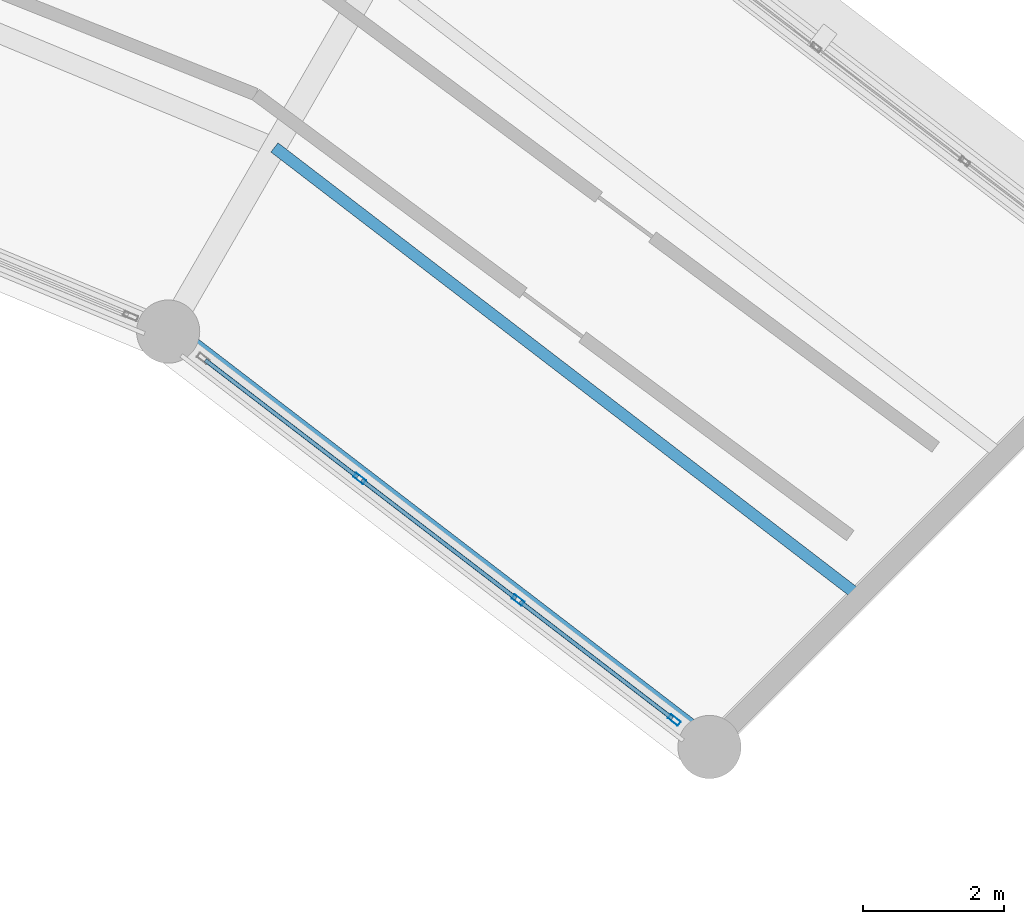
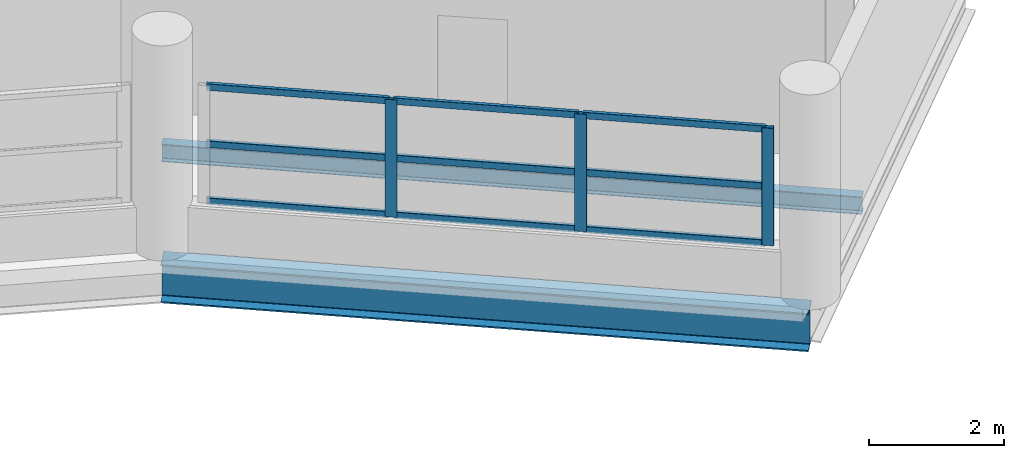
# One storey, part 33 of 53: 12 members, 2 beams, 1 element without a shape of its own.
"""IFC4 building model written with IfcOpenShell, lengths in metres."""

from ifc_helpers import new_model, si_unit, direction, frame, origin, origin_2d, place, context, subcontext, project, spatial, hollow_rectangle, i_section, extrude, material, layer, layer_set, material_profile, profile_set, type_object, element, aggregate, save


model = new_model("IFC4")

# Units and contexts
model_context = context("Model", 3, precision=1e-05, world=origin(), true_north=direction((0.0, 1.0)))
body_context = subcontext(model_context, "Body", "Model", "MODEL_VIEW")
ifc_project = project(units=[si_unit("LENGTHUNIT", "METRE"), si_unit("AREAUNIT", "SQUARE_METRE"), si_unit("VOLUMEUNIT", "CUBIC_METRE"), si_unit("PLANEANGLEUNIT", "RADIAN"), si_unit("MASSUNIT", "GRAM", prefix="KILO")], contexts=[model_context])

# Site, building, storey
site_placement = place(None, origin())
site = spatial("IfcSite", under=ifc_project, at=site_placement, CompositionType="ELEMENT")
building_placement = place(site_placement, origin())
building = spatial("IfcBuilding", under=site, at=building_placement, Name="Vespera Passage Community Centre", CompositionType="ELEMENT")
storey_placement = place(building_placement, frame((0.0, 0.0, 20.39990234375)))
storey = spatial("IfcBuildingStorey", under=building, at=storey_placement, Name="L05", CompositionType="ELEMENT", Elevation=20.39990234375)

# Beams
ifc_material_1 = material(Name="Steel ASTM A992 Grade 50", Category="steel")
ifc_material_profile_1 = material_profile(ifc_material_1, i_section(OverallWidth=0.16650390625, OverallDepth=0.3173828125, WebThickness=0.007568359375, FlangeThickness=0.01318359375, FilletRadius=0.007568359375, at=origin_2d()), Name="W12X35")
ifc_profile_set_1 = profile_set([ifc_material_profile_1], Name="Steel ASTM A992 Grade 50")
beam_type_1 = type_object("IfcBeamType", Name="BM-J-W12X35", PredefinedType="JOIST", material=ifc_profile_set_1)
beam_1_placement = place(storey_placement, frame((106.444091796875, 93.944091796875, -0.418701171875), z_axis=(-0.793356328613, 0.608757534533, 0.0), x_axis=(-0.608757534533, -0.793356328613, 0.0)))
element("IfcBeam", 1, at=beam_1_placement, inside=storey, type_object=beam_type_1, Name="V4 L05 Floor Joist 3.1", PredefinedType="JOIST", context=body_context, shape_type="SweptSolid", body=[
    extrude(i_section(OverallWidth=0.16650390625, OverallDepth=0.3173828125, WebThickness=0.007568359375, FlangeThickness=0.01318359375, FilletRadius=0.007568359375, at=origin_2d()), origin(), (0.0, 0.0, 1.0), 10.5009765625),
])
ifc_material_2 = material(Name="Steel ASTM A992 Grade 50", Category="steel")
ifc_material_profile_2 = material_profile(ifc_material_2, i_section(OverallWidth=0.3544921875, OverallDepth=0.695556640625, WebThickness=0.015380859375, FlangeThickness=0.024658203125, FilletRadius=0.01513671875, at=origin_2d()), Name="W27X146")
ifc_profile_set_2 = profile_set([ifc_material_profile_2], Name="Steel ASTM A992 Grade 50")
beam_type_2 = type_object("IfcBeamType", Name="BM-SP-W27X146E", PredefinedType="SPANDREL", material=ifc_profile_set_2)
beam_2_placement = place(storey_placement, frame((104.304443359375, 91.804443359375, -0.607666015625), z_axis=(-0.793359869694, 0.60875291963, 0.0), x_axis=(-0.60875291963, -0.793359869694, 0.0)))
element("IfcBeam", 2, at=beam_2_placement, inside=storey, type_object=beam_type_2, Name="V4 L05 Inner Spandrel 3", PredefinedType="SPANDREL", context=body_context, shape_type="SweptSolid", body=[
    extrude(i_section(OverallWidth=0.3544921875, OverallDepth=0.695556640625, WebThickness=0.015380859375, FlangeThickness=0.024658203125, FilletRadius=0.01513671875, at=origin_2d()), origin(), (0.0, 0.0, 1.0), 9.7109375),
])

# Curtain wall, members
ifc_material_3 = material(Name="Anodized aluminium 6063-T6", Category="aluminium")
ifc_layer = layer(ifc_material_3, 0.159912109375)
ifc_layer_set = layer_set([ifc_layer], Name="Anodized aluminium 6063-T6")
curtain_wall_type = type_object("IfcCurtainWallType", Name="CW-70E", PredefinedType="NOTDEFINED", material=ifc_layer_set)
curtain_wall_placement = place(storey_placement, origin())
curtain_wall = element("IfcCurtainWall", 3, at=curtain_wall_placement, inside=storey, type_object=curtain_wall_type, Name="V4 L05 Inner Court Curtain Wall 3", PredefinedType="NOTDEFINED")
ifc_material_4 = material(Name="Anodized aluminium 6063-T6", Category="aluminium")
ifc_material_profile_3 = material_profile(ifc_material_4, hollow_rectangle(XDim=0.074951171875, YDim=0.179931640625, WallThickness=0.0048828125, InnerFilletRadius=0.00244140625, OuterFilletRadius=0.0048828125, at=origin_2d()), Name="ALU180X75X5")
ifc_profile_set_3 = profile_set([ifc_material_profile_3], Name="Anodized aluminium 6063-T6")
member_type_1 = type_object("IfcMemberType", Name="MB-CWM-180E", PredefinedType="MULLION", material=ifc_profile_set_3)
member_1_placement = place(storey_placement, frame((103.803955078125, 92.188232421875, 0.820068359375), z_axis=(0.0, 0.0, 1.0), x_axis=(-0.608755087843, -0.793358205999, 0.0)))
member_1 = element("IfcMember", 4, at=member_1_placement, type_object=member_type_1, Name="CW-70E mullion 1", PredefinedType="MULLION", context=body_context, shape_type="SweptSolid", body=[
    extrude(hollow_rectangle(XDim=0.074951171875, YDim=0.179931640625, WallThickness=0.0048828125, InnerFilletRadius=0.00244140625, OuterFilletRadius=0.0048828125, at=origin_2d()), origin(), (0.0, 0.0, 1.0), 2.129638671875),
])
member_2_placement = place(storey_placement, frame((101.579345703125, 93.895263671875, 0.820068359375), z_axis=(0.0, 0.0, 1.0), x_axis=(-0.608755087843, -0.793358205999, 0.0)))
member_2 = element("IfcMember", 5, at=member_2_placement, type_object=member_type_1, Name="CW-70E mullion 2", PredefinedType="MULLION", context=body_context, shape_type="SweptSolid", body=[
    extrude(hollow_rectangle(XDim=0.074951171875, YDim=0.179931640625, WallThickness=0.0048828125, InnerFilletRadius=0.00244140625, OuterFilletRadius=0.0048828125, at=origin_2d()), origin(), (0.0, 0.0, 1.0), 2.129638671875),
])
member_3_placement = place(storey_placement, frame((99.324951171875, 95.625244140625, 0.820068359375), z_axis=(0.0, 0.0, 1.0), x_axis=(-0.608755087843, -0.793358205999, 0.0)))
member_3 = element("IfcMember", 6, at=member_3_placement, type_object=member_type_1, Name="CW-70E mullion 3", PredefinedType="MULLION", context=body_context, shape_type="SweptSolid", body=[
    extrude(hollow_rectangle(XDim=0.074951171875, YDim=0.179931640625, WallThickness=0.0048828125, InnerFilletRadius=0.00244140625, OuterFilletRadius=0.0048828125, at=origin_2d()), origin(), (0.0, 0.0, 1.0), 2.129638671875),
])
ifc_material_5 = material(Name="Anodized aluminium 6063-T6", Category="aluminium")
ifc_material_profile_4 = material_profile(ifc_material_5, hollow_rectangle(XDim=0.06005859375, YDim=0.1201171875, WallThickness=0.00390625, InnerFilletRadius=0.001953125, OuterFilletRadius=0.00390625, at=origin_2d()), Name="ALU120X60X4")
ifc_profile_set_4 = profile_set([ifc_material_profile_4], Name="Anodized aluminium 6063-T6")
member_type_2 = type_object("IfcMemberType", Name="MB-CWT-120E", PredefinedType="USERDEFINED", material=ifc_profile_set_4)
member_4_placement = place(storey_placement, frame((103.7744140625, 92.211181640625, 0.85009765625), z_axis=(-0.793371617318, 0.608737609183, 0.0), x_axis=(-0.608737609183, -0.793371617318, 0.0)))
member_4 = element("IfcMember", 7, at=member_4_placement, type_object=member_type_2, Name="CW-70E transom 1.1", ObjectType="TRANSOM", PredefinedType="USERDEFINED", context=body_context, shape_type="SweptSolid", body=[
    extrude(hollow_rectangle(XDim=0.06005859375, YDim=0.1201171875, WallThickness=0.00390625, InnerFilletRadius=0.001953125, OuterFilletRadius=0.00390625, at=origin_2d()), origin(), (0.0, 0.0, 1.0), 2.729248046875),
])
member_5_placement = place(storey_placement, frame((103.7744140625, 92.211181640625, 1.884765625), z_axis=(-0.793371617318, 0.608737609183, 0.0), x_axis=(-0.608737609183, -0.793371617318, 0.0)))
member_5 = element("IfcMember", 8, at=member_5_placement, type_object=member_type_2, Name="CW-70E transom 1.2", ObjectType="TRANSOM", PredefinedType="USERDEFINED", context=body_context, shape_type="SweptSolid", body=[
    extrude(hollow_rectangle(XDim=0.06005859375, YDim=0.1201171875, WallThickness=0.00390625, InnerFilletRadius=0.001953125, OuterFilletRadius=0.00390625, at=origin_2d()), origin(), (0.0, 0.0, 1.0), 2.729248046875),
])
member_6_placement = place(storey_placement, frame((103.7744140625, 92.211181640625, 2.919677734375), z_axis=(-0.793371617318, 0.608737609183, 0.0), x_axis=(-0.608737609183, -0.793371617318, 0.0)))
member_6 = element("IfcMember", 9, at=member_6_placement, type_object=member_type_2, Name="CW-70E transom 1.3", ObjectType="TRANSOM", PredefinedType="USERDEFINED", context=body_context, shape_type="SweptSolid", body=[
    extrude(hollow_rectangle(XDim=0.06005859375, YDim=0.1201171875, WallThickness=0.00390625, InnerFilletRadius=0.001953125, OuterFilletRadius=0.00390625, at=origin_2d()), origin(), (0.0, 0.0, 1.0), 2.729248046875),
])
member_7_placement = place(storey_placement, frame((101.549560546875, 93.918212890625, 0.85009765625), z_axis=(-0.793364831796, 0.608746452695, 0.0), x_axis=(-0.608746452695, -0.793364831796, 0.0)))
member_7 = element("IfcMember", 10, at=member_7_placement, type_object=member_type_2, Name="CW-70E transom 2.1", ObjectType="TRANSOM", PredefinedType="USERDEFINED", context=body_context, shape_type="SweptSolid", body=[
    extrude(hollow_rectangle(XDim=0.06005859375, YDim=0.1201171875, WallThickness=0.00390625, InnerFilletRadius=0.001953125, OuterFilletRadius=0.00390625, at=origin_2d()), origin(), (0.0, 0.0, 1.0), 2.766357421875),
])
member_8_placement = place(storey_placement, frame((101.549560546875, 93.918212890625, 1.884765625), z_axis=(-0.793364831796, 0.608746452695, 0.0), x_axis=(-0.608746452695, -0.793364831796, 0.0)))
member_8 = element("IfcMember", 11, at=member_8_placement, type_object=member_type_2, Name="CW-70E transom 2.2", ObjectType="TRANSOM", PredefinedType="USERDEFINED", context=body_context, shape_type="SweptSolid", body=[
    extrude(hollow_rectangle(XDim=0.06005859375, YDim=0.1201171875, WallThickness=0.00390625, InnerFilletRadius=0.001953125, OuterFilletRadius=0.00390625, at=origin_2d()), origin(), (0.0, 0.0, 1.0), 2.766357421875),
])
member_9_placement = place(storey_placement, frame((101.549560546875, 93.918212890625, 2.919677734375), z_axis=(-0.793364831796, 0.608746452695, 0.0), x_axis=(-0.608746452695, -0.793364831796, 0.0)))
member_9 = element("IfcMember", 12, at=member_9_placement, type_object=member_type_2, Name="CW-70E transom 2.3", ObjectType="TRANSOM", PredefinedType="USERDEFINED", context=body_context, shape_type="SweptSolid", body=[
    extrude(hollow_rectangle(XDim=0.06005859375, YDim=0.1201171875, WallThickness=0.00390625, InnerFilletRadius=0.001953125, OuterFilletRadius=0.00390625, at=origin_2d()), origin(), (0.0, 0.0, 1.0), 2.766357421875),
])
member_10_placement = place(storey_placement, frame((99.295166015625, 95.64794921875, 0.85009765625), z_axis=(-0.793338465411, 0.608780813839, 0.0), x_axis=(-0.608780813839, -0.793338465411, 0.0)))
member_10 = element("IfcMember", 13, at=member_10_placement, type_object=member_type_2, Name="CW-70E transom 3.1", ObjectType="TRANSOM", PredefinedType="USERDEFINED", context=body_context, shape_type="SweptSolid", body=[
    extrude(hollow_rectangle(XDim=0.06005859375, YDim=0.1201171875, WallThickness=0.00390625, InnerFilletRadius=0.001953125, OuterFilletRadius=0.00390625, at=origin_2d()), origin(), (0.0, 0.0, 1.0), 2.72900390625),
])
member_11_placement = place(storey_placement, frame((99.295166015625, 95.64794921875, 1.884765625), z_axis=(-0.793338465411, 0.608780813839, 0.0), x_axis=(-0.608780813839, -0.793338465411, 0.0)))
member_11 = element("IfcMember", 14, at=member_11_placement, type_object=member_type_2, Name="CW-70E transom 3.2", ObjectType="TRANSOM", PredefinedType="USERDEFINED", context=body_context, shape_type="SweptSolid", body=[
    extrude(hollow_rectangle(XDim=0.06005859375, YDim=0.1201171875, WallThickness=0.00390625, InnerFilletRadius=0.001953125, OuterFilletRadius=0.00390625, at=origin_2d()), origin(), (0.0, 0.0, 1.0), 2.72900390625),
])
member_12_placement = place(storey_placement, frame((99.295166015625, 95.64794921875, 2.919677734375), z_axis=(-0.793338465411, 0.608780813839, 0.0), x_axis=(-0.608780813839, -0.793338465411, 0.0)))
member_12 = element("IfcMember", 15, at=member_12_placement, type_object=member_type_2, Name="CW-70E transom 3.3", ObjectType="TRANSOM", PredefinedType="USERDEFINED", context=body_context, shape_type="SweptSolid", body=[
    extrude(hollow_rectangle(XDim=0.06005859375, YDim=0.1201171875, WallThickness=0.00390625, InnerFilletRadius=0.001953125, OuterFilletRadius=0.00390625, at=origin_2d()), origin(), (0.0, 0.0, 1.0), 2.72900390625),
])
aggregate(curtain_wall, [member_1, member_2, member_3, member_4, member_5, member_6, member_7, member_8, member_9, member_10, member_11, member_12])

save(model, "model.ifc")
